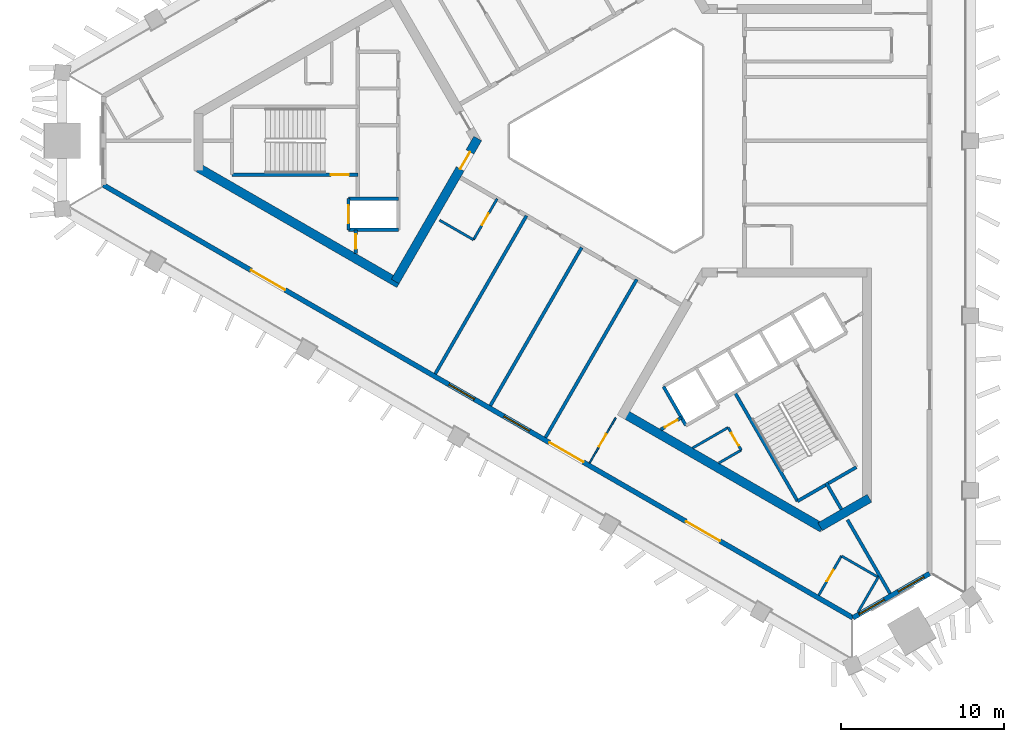
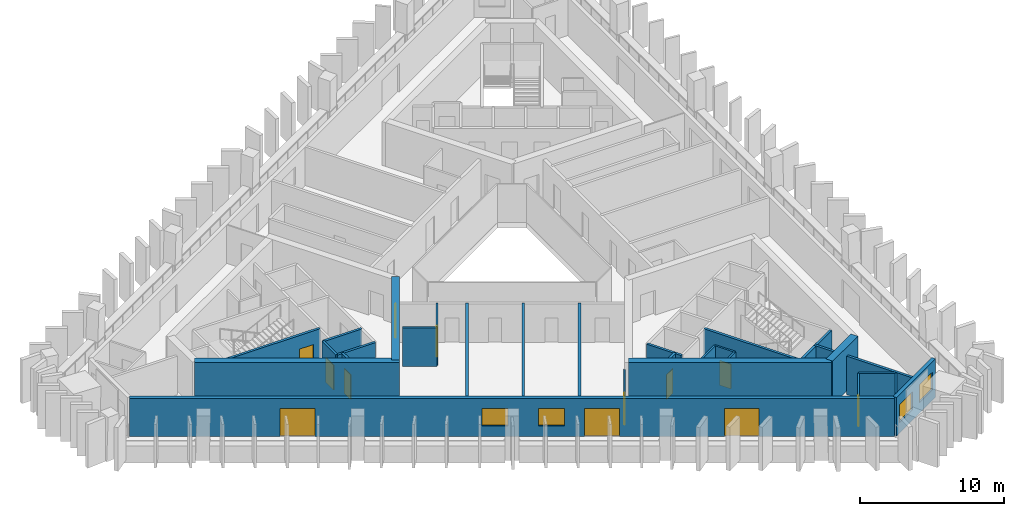
# One storey, part 2 of 9: 29 walls, 12 doors, 4 windows, 16 openings.
"""IFC4 building model written with IfcOpenShell, lengths in metres."""

from ifc_helpers import new_model, si_unit, direction, frame, frame_2d, origin, place, context, subcontext, project, spatial, rectangle, extrude, material, layer, layer_set, type_object, element, fill, save


model = new_model("IFC4")

# Units and contexts
model_context = context("Model", 3, precision=1e-05, world=origin(), true_north=direction((0.0, 1.0)))
body_context = subcontext(model_context, "Body", "Model", "MODEL_VIEW")
ifc_project = project(units=[si_unit("LENGTHUNIT", "METRE"), si_unit("AREAUNIT", "SQUARE_METRE"), si_unit("VOLUMEUNIT", "CUBIC_METRE"), si_unit("PLANEANGLEUNIT", "RADIAN"), si_unit("MASSUNIT", "GRAM", prefix="KILO")], contexts=[model_context])

# Site, building, storey
site_placement = place(None, origin())
site = spatial("IfcSite", under=ifc_project, at=site_placement, CompositionType="ELEMENT")
building_placement = place(site_placement, origin())
building = spatial("IfcBuilding", under=site, at=building_placement, Name="Jabali Bay Hotel Tower and Convention Centre", CompositionType="ELEMENT")
storey_placement = place(building_placement, frame((0.0, 0.0, 182.199951171875)))
storey = spatial("IfcBuildingStorey", under=building, at=storey_placement, Name="L44", CompositionType="ELEMENT", Elevation=182.199951171875)

# Wall, opening, door
ifc_material_1 = material(Name="Concrete C40", Category="concrete")
ifc_layer_1 = layer(ifc_material_1, 0.199951171875)
ifc_layer_set_1 = layer_set([ifc_layer_1], Name="Concrete C40")
wall_type_1 = type_object("IfcWallType", Name="Core partition wall 200", PredefinedType="PARTITIONING", material=ifc_layer_set_1)
wall_1_placement = place(storey_placement, frame((58.300048828125, 74.550048828125, 0.0), z_axis=(0.0, 0.0, 1.0), x_axis=(0.0, -1.0, 0.0)))
wall_1 = element("IfcWall", 1, at=wall_1_placement, inside=storey, type_object=wall_type_1, Name="Core wall 0.11 L44", PredefinedType="PARTITIONING", context=body_context, shape_type="SweptSolid", body=[
    extrude(rectangle(XDim=1.455078125, YDim=0.199951171875, at=frame_2d((0.7275390625, 0.0))), origin(), (0.0, 0.0, 1.0), 3.25),
])
opening_1_placement = place(wall_1_placement, frame((0.277587890625, 0.0, 0.0)))
opening_1 = element("IfcOpeningElement", 2, at=opening_1_placement, cuts=wall_1, Name="Opening D952", PredefinedType="OPENING", context=body_context, shape_type="SweptSolid", body=[
    extrude(rectangle(XDim=0.89990234375, YDim=2.10009765625, at=frame_2d((0.449951171875, 1.050048828125))), frame((0.0, 0.1103515625, 0.0), z_axis=(0.0, -1.0, 0.0), x_axis=(1.0, 0.0, 0.0)), (0.0, 0.0, 1.0), 0.220947265625),
])
ifc_material_2 = material(Name="Fire-rated steel door", Category="steel")
door_type_1 = type_object("IfcDoorType", Name="Vestibule fire door 900 x 2100", OperationType="NOTDEFINED", PredefinedType="NOTDEFINED", material=ifc_material_2)
door_1_placement = place(opening_1_placement, origin())
door_1 = element("IfcDoor", 3, at=door_1_placement, inside=storey, type_object=door_type_1, Name="Vestibule fire door D952", OperationType="SINGLE_SWING_LEFT", OverallHeight=2.10009765625, OverallWidth=0.89990234375, PredefinedType="NOTDEFINED", context=body_context, shape_type="SweptSolid", body=[
    extrude(rectangle(XDim=0.89990234375, YDim=2.10009765625, at=frame_2d((0.449951171875, 1.050048828125))), frame((0.0, 0.02490234375, 0.0), z_axis=(0.0, -1.0, 0.0), x_axis=(1.0, 0.0, 0.0)), (0.0, 0.0, 1.0), 0.050048828125),
])
fill(opening_1, door_1)

# Wall
wall_2_placement = place(storey_placement, frame((87.090087890625, 59.0595703125, 0.0), z_axis=(0.0, 0.0, 1.0), x_axis=(0.499951854219, -0.86605319898, 0.0)))
element("IfcWall", 4, at=wall_2_placement, inside=storey, type_object=wall_type_1, Name="Core wall 2.5 L44", PredefinedType="PARTITIONING", context=body_context, shape_type="SweptSolid", body=[
    extrude(rectangle(XDim=1.873291015625, YDim=0.199951171875, at=frame_2d((0.9365234375, 0.0))), origin(), (0.0, 0.0, 1.0), 3.25),
])

# Wall, opening, door
wall_3_placement = place(storey_placement, frame((76.969970703125, 62.315673828125, 0.0), z_axis=(0.0, 0.0, 1.0), x_axis=(0.865982457891, 0.500074377092, 0.0)))
wall_3 = element("IfcWall", 5, at=wall_3_placement, inside=storey, type_object=wall_type_1, Name="Core wall 2.11 L44", PredefinedType="PARTITIONING", context=body_context, shape_type="SweptSolid", body=[
    extrude(rectangle(XDim=1.461181640625, YDim=0.199951171875, at=frame_2d((0.73046875, 0.0))), origin(), (0.0, 0.0, 1.0), 3.25),
])
opening_2_placement = place(wall_3_placement, frame((0.280517578125, 0.0, 0.0)))
opening_2 = element("IfcOpeningElement", 6, at=opening_2_placement, cuts=wall_3, Name="Opening D965", PredefinedType="OPENING", context=body_context, shape_type="SweptSolid", body=[
    extrude(rectangle(XDim=0.89990234375, YDim=2.10009765625, at=frame_2d((0.449951171875, 1.050048828125))), frame((0.0, 0.1103515625, 0.0), z_axis=(0.0, -1.0, 0.0), x_axis=(1.0, 0.0, 0.0)), (0.0, 0.0, 1.0), 0.220947265625),
])
door_2_placement = place(opening_2_placement, origin())
door_2 = element("IfcDoor", 7, at=door_2_placement, inside=storey, type_object=door_type_1, Name="Vestibule fire door D965", OperationType="SINGLE_SWING_LEFT", OverallHeight=2.10009765625, OverallWidth=0.89990234375, PredefinedType="NOTDEFINED", context=body_context, shape_type="SweptSolid", body=[
    extrude(rectangle(XDim=0.89990234375, YDim=2.10009765625, at=frame_2d((0.449951171875, 1.050048828125))), frame((0.0, 0.02490234375, 0.0), z_axis=(0.0, -1.0, 0.0), x_axis=(1.0, 0.0, 0.0)), (0.0, 0.0, 1.0), 0.050048828125),
])
fill(opening_2, door_2)

ifc_material_3 = material(Name="Fire-rated board partition")
ifc_layer_2 = layer(ifc_material_3, 0.14990234375)
ifc_layer_set_2 = layer_set([ifc_layer_2], Name="Fire-rated board partition")
wall_type_2 = type_object("IfcWallType", Name="Core room partition 150", PredefinedType="PARTITIONING", material=ifc_layer_set_2)
wall_4_placement = place(storey_placement, frame((81.093994140625, 62.445068359375, 0.0), z_axis=(0.0, 0.0, 1.0), x_axis=(0.499880961361, -0.866094119867, 0.0)))
wall_4 = element("IfcWall", 8, at=wall_4_placement, inside=storey, type_object=wall_type_2, Name="Core wall 2.1 L44", PredefinedType="PARTITIONING", context=body_context, shape_type="SweptSolid", body=[
    extrude(rectangle(XDim=1.60009765625, YDim=0.14990234375, at=frame_2d((0.800048828125, 0.0))), origin(), (0.0, 0.0, 1.0), 3.25),
])
opening_3_placement = place(wall_4_placement, frame((0.387451171875, 0.0, 0.0)))
opening_3 = element("IfcOpeningElement", 9, at=opening_3_placement, cuts=wall_4, Name="Opening D967", PredefinedType="OPENING", context=body_context, shape_type="SweptSolid", body=[
    extrude(rectangle(XDim=0.89990234375, YDim=2.10009765625, at=frame_2d((0.449951171875, 1.050048828125))), frame((0.0, 0.08544921875, 0.0), z_axis=(0.0, -1.0, 0.0), x_axis=(1.0, 0.0, 0.0)), (0.0, 0.0, 1.0), 0.1708984375),
])
door_type_2 = type_object("IfcDoorType", Name="Core room door 900 x 2100", OperationType="NOTDEFINED", PredefinedType="NOTDEFINED", material=ifc_material_2)
door_3_placement = place(opening_3_placement, origin())
door_3 = element("IfcDoor", 10, at=door_3_placement, inside=storey, type_object=door_type_2, Name="Core room door D967", OperationType="SINGLE_SWING_LEFT", OverallHeight=2.10009765625, OverallWidth=0.89990234375, PredefinedType="NOTDEFINED", context=body_context, shape_type="SweptSolid", body=[
    extrude(rectangle(XDim=0.89990234375, YDim=2.10009765625, at=frame_2d((0.449951171875, 1.050048828125))), frame((0.0, 0.02490234375, 0.0), z_axis=(0.0, -1.0, 0.0), x_axis=(1.0, 0.0, 0.0)), (0.0, 0.0, 1.0), 0.050048828125),
])
fill(opening_3, door_3)

# Walls
wall_5_placement = place(storey_placement, frame((78.919921875, 61.18994140625, 0.0), z_axis=(0.0, 0.0, 1.0), x_axis=(0.866038211682, 0.499977815414, 0.0)))
element("IfcWall", 11, at=wall_5_placement, inside=storey, type_object=wall_type_2, Name="Core wall 2.16 L44", PredefinedType="PARTITIONING", context=body_context, shape_type="SweptSolid", body=[
    extrude(rectangle(XDim=2.51025390625, YDim=0.14990234375, at=frame_2d((1.255126953125, 0.0))), origin(), (0.0, 0.0, 1.0), 3.25),
])
wall_6_placement = place(storey_placement, frame((80.52001953125, 60.26611328125, 0.0), z_axis=(0.0, 0.0, 1.0), x_axis=(0.866008740531, 0.500028860491, 0.0)))
element("IfcWall", 12, at=wall_6_placement, inside=storey, type_object=wall_type_2, Name="Core wall 2.17 L44", PredefinedType="PARTITIONING", context=body_context, shape_type="SweptSolid", body=[
    extrude(rectangle(XDim=1.58642578125, YDim=0.14990234375, at=frame_2d((0.793212890625, 0.0))), origin(), (0.0, 0.0, 1.0), 3.25),
])

# Wall, opening, door
ifc_layer_3 = layer(ifc_material_1, 0.199951171875)
ifc_layer_set_3 = layer_set([ifc_layer_3], Name="Concrete C40")
wall_type_3 = type_object("IfcWallType", Name="Core stair wall 200", PredefinedType="SOLIDWALL", material=ifc_layer_set_3)
wall_7_placement = place(storey_placement, frame((58.419921875, 77.925048828125, 0.0), z_axis=(0.0, 0.0, 1.0), x_axis=(-1.0, 0.0, 0.0)))
wall_7 = element("IfcWall", 13, at=wall_7_placement, inside=storey, type_object=wall_type_3, Name="Core wall 0.6 L44", PredefinedType="SOLIDWALL", context=body_context, shape_type="SweptSolid", body=[
    extrude(rectangle(XDim=7.699951171875, YDim=0.199951171875, at=frame_2d((3.85009765625, 0.0))), origin(), (0.0, 0.0, 1.0), 3.25),
])
opening_4_placement = place(wall_7_placement, frame((0.550048828125, 0.0, 0.0)))
opening_4 = element("IfcOpeningElement", 14, at=opening_4_placement, cuts=wall_7, Name="Opening D954", PredefinedType="OPENING", context=body_context, shape_type="SweptSolid", body=[
    extrude(rectangle(XDim=1.10009765625, YDim=2.10009765625, at=frame_2d((0.550048828125, 1.050048828125))), frame((0.0, 0.1103515625, 0.0), z_axis=(0.0, -1.0, 0.0), x_axis=(1.0, 0.0, 0.0)), (0.0, 0.0, 1.0), 0.220947265625),
])
door_type_3 = type_object("IfcDoorType", Name="Stair fire door 1100 x 2100", OperationType="NOTDEFINED", PredefinedType="NOTDEFINED", material=ifc_material_2)
door_4_placement = place(opening_4_placement, origin())
door_4 = element("IfcDoor", 15, at=door_4_placement, inside=storey, type_object=door_type_3, Name="Stair fire door D954", OperationType="SINGLE_SWING_RIGHT", OverallHeight=2.10009765625, OverallWidth=1.10009765625, PredefinedType="NOTDEFINED", context=body_context, shape_type="SweptSolid", body=[
    extrude(rectangle(XDim=1.10009765625, YDim=2.10009765625, at=frame_2d((0.550048828125, 1.050048828125))), frame((0.0, 0.02490234375, 0.0), z_axis=(0.0, -1.0, 0.0), x_axis=(1.0, 0.0, 0.0)), (0.0, 0.0, 1.0), 0.050048828125),
])
fill(opening_4, door_4)

# Walls
for number, where, z_axis, x_axis, name in (
    (16, (60.89990234375, 76.449951171875, 0.0), (0.0, 0.0, 1.0), (-1.0, 0.0, 0.0), "Core wall 0.7 L44"),
    (17, (60.89990234375, 74.550048828125, 0.0), (0.0, 0.0, 1.0), (-1.0, 0.0, 0.0), "Core wall 0.8 L44"),
):
    element("IfcWall", number, at=place(storey_placement, frame(where, z_axis=z_axis, x_axis=x_axis)), inside=storey, type_object=wall_type_3, Name=name, PredefinedType="SOLIDWALL", context=body_context, shape_type="SweptSolid", body=[
        extrude(rectangle(XDim=3.0498046875, YDim=0.199951171875, at=frame_2d((1.52490234375, 0.0))), origin(), (0.0, 0.0, 1.0), 3.25),
    ])

# Wall, opening, door
wall_8_placement = place(storey_placement, frame((57.85009765625, 76.449951171875, 0.0), z_axis=(0.0, 0.0, 1.0), x_axis=(0.0, -1.0, 0.0)))
wall_8 = element("IfcWall", 18, at=wall_8_placement, inside=storey, type_object=wall_type_3, Name="Core wall 0.12 L44", PredefinedType="SOLIDWALL", context=body_context, shape_type="SweptSolid", body=[
    extrude(rectangle(XDim=1.89990234375, YDim=0.199951171875, at=frame_2d((0.949951171875, 0.0))), origin(), (0.0, 0.0, 1.0), 3.25),
])
opening_5_placement = place(wall_8_placement, frame((0.39990234375, 0.0, 0.0)))
opening_5 = element("IfcOpeningElement", 19, at=opening_5_placement, cuts=wall_8, Name="Opening LD5-L44", PredefinedType="OPENING", context=body_context, shape_type="SweptSolid", body=[
    extrude(rectangle(XDim=1.10009765625, YDim=2.10009765625, at=frame_2d((0.550048828125, 1.050048828125))), frame((0.0, 0.1103515625, 0.0), z_axis=(0.0, -1.0, 0.0), x_axis=(1.0, 0.0, 0.0)), (0.0, 0.0, 1.0), 0.220947265625),
])
ifc_material_4 = material(Name="Stainless steel landing door", Category="steel")
door_type_4 = type_object("IfcDoorType", Name="Landing door 1100 x 2100", OperationType="NOTDEFINED", PredefinedType="NOTDEFINED", material=ifc_material_4)
door_5_placement = place(opening_5_placement, origin())
door_5 = element("IfcDoor", 20, at=door_5_placement, inside=storey, type_object=door_type_4, Name="Landing doors LD5-L44", OperationType="SLIDING_TO_RIGHT", OverallHeight=2.10009765625, OverallWidth=1.10009765625, PredefinedType="NOTDEFINED", context=body_context, shape_type="SweptSolid", body=[
    extrude(rectangle(XDim=1.10009765625, YDim=2.10009765625, at=frame_2d((0.550048828125, 1.050048828125))), frame((0.0, 0.02490234375, 0.0), z_axis=(0.0, -1.0, 0.0), x_axis=(1.0, 0.0, 0.0)), (0.0, 0.0, 1.0), 0.050048828125),
])
fill(opening_5, door_5)

# Walls
wall_9_placement = place(storey_placement, frame((77.13525390625, 64.95166015625, 0.0), z_axis=(0.0, 0.0, 1.0), x_axis=(0.499996545922, -0.866027397988, 0.0)))
element("IfcWall", 21, at=wall_9_placement, inside=storey, type_object=wall_type_3, Name="Core wall 2.0 L44", PredefinedType="SOLIDWALL", context=body_context, shape_type="SweptSolid", body=[
    extrude(rectangle(XDim=2.75, YDim=0.199951171875, at=frame_2d((1.375, 0.0))), origin(), (0.0, 0.0, 1.0), 3.25),
])
wall_10_placement = place(storey_placement, frame((81.492919921875, 64.603759765625, 0.0), z_axis=(0.0, 0.0, 1.0), x_axis=(0.500006057782, -0.866021906294, 0.0)))
element("IfcWall", 22, at=wall_10_placement, inside=storey, type_object=wall_type_3, Name="Core wall 2.3 L44", PredefinedType="SOLIDWALL", context=body_context, shape_type="SweptSolid", body=[
    extrude(rectangle(XDim=7.7001953125, YDim=0.199951171875, at=frame_2d((3.85009765625, 0.0))), origin(), (0.0, 0.0, 1.0), 3.25),
])
wall_11_placement = place(storey_placement, frame((85.343017578125, 57.935302734375, 0.0), z_axis=(0.0, 0.0, 1.0), x_axis=(0.866004344652, 0.500036473714, 0.0)))
element("IfcWall", 23, at=wall_11_placement, inside=storey, type_object=wall_type_3, Name="Core wall 2.18 L44", PredefinedType="SOLIDWALL", context=body_context, shape_type="SweptSolid", body=[
    extrude(rectangle(XDim=4.150146484375, YDim=0.199951171875, at=frame_2d((2.0751953125, 0.0))), origin(), (0.0, 0.0, 1.0), 3.25),
])
ifc_material_5 = material(Name="Concrete C60", Category="concrete")
ifc_layer_4 = layer(ifc_material_5, 0.550048828125)
ifc_layer_set_4 = layer_set([ifc_layer_4], Name="Concrete C60")
wall_type_4 = type_object("IfcWallType", Name="Core wall 550", PredefinedType="SHEAR", material=ifc_layer_set_4)
wall_12_placement = place(storey_placement, frame((48.671875, 78.336181640625, 0.0), z_axis=(0.0, 0.0, 1.0), x_axis=(0.866023530946, -0.500003243837, 0.0)))
element("IfcWall", 24, at=wall_12_placement, inside=storey, type_object=wall_type_4, Name="Core wall 1.4 L44", PredefinedType="SHEAR", context=body_context, shape_type="SweptSolid", body=[
    extrude(rectangle(XDim=14.1748046875, YDim=0.550048828125, at=frame_2d((7.08740234375, 0.0))), origin(), (0.0, 0.0, 1.0), 3.699951171875),
])

# Wall, opening, door
wall_13_placement = place(storey_placement, frame((60.709228515625, 71.38623046875, 0.0), z_axis=(0.0, 0.0, 1.0), x_axis=(0.500015938302, 0.866016201606, 0.0)))
wall_13 = element("IfcWall", 25, at=wall_13_placement, inside=storey, type_object=wall_type_4, Name="Core wall 1.5 L44", PredefinedType="SHEAR", context=body_context, shape_type="SweptSolid", body=[
    extrude(rectangle(XDim=10.105224609375, YDim=0.550048828125, at=frame_2d((5.052734375, 0.0))), origin(), (0.0, 0.0, 1.0), 3.699951171875),
])
opening_6_placement = place(wall_13_placement, frame((7.955078125, 0.0, 0.0)))
opening_6 = element("IfcOpeningElement", 26, at=opening_6_placement, cuts=wall_13, Name="Opening D948", PredefinedType="OPENING", context=body_context, shape_type="SweptSolid", body=[
    extrude(rectangle(XDim=1.199951171875, YDim=2.10009765625, at=frame_2d((0.60009765625, 1.050048828125))), frame((0.0, 0.28564453125, 0.0), z_axis=(0.0, -1.0, 0.0), x_axis=(1.0, 0.0, 0.0)), (0.0, 0.0, 1.0), 0.571044921875),
])
door_type_5 = type_object("IfcDoorType", Name="Corridor end fire door 1200 x 2100", OperationType="NOTDEFINED", PredefinedType="NOTDEFINED", material=ifc_material_2)
door_6_placement = place(opening_6_placement, origin())
door_6 = element("IfcDoor", 27, at=door_6_placement, inside=storey, type_object=door_type_5, Name="Corridor end fire door D948", OperationType="SINGLE_SWING_LEFT", OverallHeight=2.10009765625, OverallWidth=1.199951171875, PredefinedType="NOTDEFINED", context=body_context, shape_type="SweptSolid", body=[
    extrude(rectangle(XDim=1.199951171875, YDim=2.10009765625, at=frame_2d((0.60009765625, 1.050048828125))), frame((0.0, 0.02490234375, 0.0), z_axis=(0.0, -1.0, 0.0), x_axis=(1.0, 0.0, 0.0)), (0.0, 0.0, 1.0), 0.050048828125),
])
fill(opening_6, door_6)

# Walls
wall_14_placement = place(storey_placement, frame((74.685546875, 63.317138671875, 0.0), z_axis=(0.0, 0.0, 1.0), x_axis=(0.866024505738, -0.500001555459, 0.0)))
element("IfcWall", 28, at=wall_14_placement, inside=storey, type_object=wall_type_4, Name="Core wall 3.2 L44", PredefinedType="SHEAR", context=body_context, shape_type="SweptSolid", body=[
    extrude(rectangle(XDim=14.05859375, YDim=0.550048828125, at=frame_2d((7.029296875, 0.0))), origin(), (0.0, 0.0, 1.0), 3.699951171875),
])
wall_15_placement = place(storey_placement, frame((86.72314453125, 56.3671875, 0.0), z_axis=(0.0, 0.0, 1.0), x_axis=(0.865997833373, 0.500047750313, 0.0)))
element("IfcWall", 29, at=wall_15_placement, inside=storey, type_object=wall_type_4, Name="Core wall 3.3 L44", PredefinedType="SHEAR", context=body_context, shape_type="SweptSolid", body=[
    extrude(rectangle(XDim=3.486572265625, YDim=0.550048828125, at=frame_2d((1.7431640625, 0.0))), origin(), (0.0, 0.0, 1.0), 3.699951171875),
])

# Wall, openings, windows
ifc_layer_5 = layer(ifc_material_1, 0.300048828125)
ifc_layer_set_5 = layer_set([ifc_layer_5], Name="Concrete C40")
wall_type_5 = type_object("IfcWallType", Name="External wall 300", PredefinedType="SOLIDWALL", material=ifc_layer_set_5)
wall_16_placement = place(storey_placement, frame((93.42724609375, 53.504638671875, 0.0), z_axis=(0.0, 0.0, 1.0), x_axis=(-0.866006352826, -0.500032995777, 0.0)))
wall_16 = element("IfcWall", 30, at=wall_16_placement, inside=storey, type_object=wall_type_5, Name="External wall south-east chamfer L44", PredefinedType="SOLIDWALL", context=body_context, shape_type="SweptSolid", body=[
    extrude(rectangle(XDim=5.421630859375, YDim=0.300048828125, at=frame_2d((2.7109375, 0.0))), origin(), (0.0, 0.0, 1.0), 3.25),
])
opening_7_placement = place(wall_16_placement, frame((3.197998046875, 0.0, 0.89990234375)))
opening_7 = element("IfcOpeningElement", 31, at=opening_7_placement, cuts=wall_16, Name="Opening W1", PredefinedType="OPENING", context=body_context, shape_type="SweptSolid", body=[
    extrude(rectangle(XDim=1.800048828125, YDim=1.5, at=frame_2d((0.89990234375, 0.75))), frame((0.0, 0.16064453125, 0.0), z_axis=(0.0, -1.0, 0.0), x_axis=(1.0, 0.0, 0.0)), (0.0, 0.0, 1.0), 0.321044921875),
])
opening_8_placement = place(wall_16_placement, frame((0.41259765625, 0.0, 0.89990234375)))
opening_8 = element("IfcOpeningElement", 32, at=opening_8_placement, cuts=wall_16, Name="Opening W1", PredefinedType="OPENING", context=body_context, shape_type="SweptSolid", body=[
    extrude(rectangle(XDim=1.800048828125, YDim=1.5, at=frame_2d((0.89990234375, 0.75))), frame((0.0, 0.16064453125, 0.0), z_axis=(0.0, -1.0, 0.0), x_axis=(1.0, 0.0, 0.0)), (0.0, 0.0, 1.0), 0.321044921875),
])
ifc_material_6 = material(Name="Glass", Category="glass")
window_type = type_object("IfcWindowType", Name="Window 1800 x 1500", PartitioningType="SINGLE_PANEL", PredefinedType="WINDOW", material=ifc_material_6)
window_1_placement = place(opening_7_placement, origin())
window_1 = element("IfcWindow", 33, at=window_1_placement, inside=storey, type_object=window_type, Name="Window 4412", OverallHeight=1.5, OverallWidth=1.800048828125, PartitioningType="SINGLE_PANEL", PredefinedType="WINDOW", context=body_context, shape_type="SweptSolid", body=[
    extrude(rectangle(XDim=1.800048828125, YDim=1.5, at=frame_2d((0.89990234375, 0.75))), frame((0.0, 0.030029296875, 0.0), z_axis=(0.0, -1.0, 0.0), x_axis=(1.0, 0.0, 0.0)), (0.0, 0.0, 1.0), 0.06005859375),
])
fill(opening_7, window_1)
window_2_placement = place(opening_8_placement, origin())
window_2 = element("IfcWindow", 34, at=window_2_placement, inside=storey, type_object=window_type, Name="Window 4401", OverallHeight=1.5, OverallWidth=1.800048828125, PartitioningType="SINGLE_PANEL", PredefinedType="WINDOW", context=body_context, shape_type="SweptSolid", body=[
    extrude(rectangle(XDim=1.800048828125, YDim=1.5, at=frame_2d((0.89990234375, 0.75))), frame((0.0, 0.030029296875, 0.0), z_axis=(0.0, -1.0, 0.0), x_axis=(1.0, 0.0, 0.0)), (0.0, 0.0, 1.0), 0.06005859375),
])
fill(opening_8, window_2)

# Wall, openings, doors, windows
wall_17_placement = place(storey_placement, frame((88.732177734375, 50.793701171875, 0.0), z_axis=(0.0, 0.0, 1.0), x_axis=(-0.866024774967, 0.500001089142, 0.0)))
wall_17 = element("IfcWall", 35, at=wall_17_placement, inside=storey, type_object=wall_type_5, Name="External wall south-west face L44", PredefinedType="SOLIDWALL", context=body_context, shape_type="SweptSolid", body=[
    extrude(rectangle(XDim=52.9912109375, YDim=0.300048828125, at=frame_2d((26.49560546875, 0.0))), origin(), (0.0, 0.0, 1.0), 3.25),
])
opening_9_placement = place(wall_17_placement, frame((19.06005859375, 0.0, 0.0)))
opening_9 = element("IfcOpeningElement", 36, at=opening_9_placement, cuts=wall_17, Name="Opening SD1", PredefinedType="OPENING", context=body_context, shape_type="SweptSolid", body=[
    extrude(rectangle(XDim=2.39990234375, YDim=2.39990234375, at=frame_2d((1.199951171875, 1.199951171875))), frame((0.0, 0.16064453125, 0.0), z_axis=(0.0, -1.0, 0.0), x_axis=(1.0, 0.0, 0.0)), (0.0, 0.0, 1.0), 0.321044921875),
])
opening_10_placement = place(wall_17_placement, frame((9.39208984375, 0.0, 0.0)))
opening_10 = element("IfcOpeningElement", 37, at=opening_10_placement, cuts=wall_17, Name="Opening SD1", PredefinedType="OPENING", context=body_context, shape_type="SweptSolid", body=[
    extrude(rectangle(XDim=2.39990234375, YDim=2.39990234375, at=frame_2d((1.199951171875, 1.199951171875))), frame((0.0, 0.16064453125, 0.0), z_axis=(0.0, -1.0, 0.0), x_axis=(1.0, 0.0, 0.0)), (0.0, 0.0, 1.0), 0.321044921875),
])
opening_11_placement = place(wall_17_placement, frame((40.145263671875, 0.0, 0.0)))
opening_11 = element("IfcOpeningElement", 38, at=opening_11_placement, cuts=wall_17, Name="Opening SD1", PredefinedType="OPENING", context=body_context, shape_type="SweptSolid", body=[
    extrude(rectangle(XDim=2.39990234375, YDim=2.39990234375, at=frame_2d((1.199951171875, 1.199951171875))), frame((0.0, 0.16064453125, 0.0), z_axis=(0.0, -1.0, 0.0), x_axis=(1.0, 0.0, 0.0)), (0.0, 0.0, 1.0), 0.321044921875),
])
opening_12_placement = place(wall_17_placement, frame((26.7646484375, 0.0, 0.89990234375)))
opening_12 = element("IfcOpeningElement", 39, at=opening_12_placement, cuts=wall_17, Name="Opening W1", PredefinedType="OPENING", context=body_context, shape_type="SweptSolid", body=[
    extrude(rectangle(XDim=1.800048828125, YDim=1.5, at=frame_2d((0.89990234375, 0.75))), frame((0.0, 0.16064453125, 0.0), z_axis=(0.0, -1.0, 0.0), x_axis=(1.0, 0.0, 0.0)), (0.0, 0.0, 1.0), 0.321044921875),
])
opening_13_placement = place(wall_17_placement, frame((22.867431640625, 0.0, 0.89990234375)))
opening_13 = element("IfcOpeningElement", 40, at=opening_13_placement, cuts=wall_17, Name="Opening W1", PredefinedType="OPENING", context=body_context, shape_type="SweptSolid", body=[
    extrude(rectangle(XDim=1.800048828125, YDim=1.5, at=frame_2d((0.89990234375, 0.75))), frame((0.0, 0.16064453125, 0.0), z_axis=(0.0, -1.0, 0.0), x_axis=(1.0, 0.0, 0.0)), (0.0, 0.0, 1.0), 0.321044921875),
])
door_type_6 = type_object("IfcDoorType", Name="Loggia sliding door 2400 x 2400", OperationType="NOTDEFINED", PredefinedType="NOTDEFINED", material=ifc_material_6)
door_7_placement = place(opening_9_placement, origin())
door_7 = element("IfcDoor", 41, at=door_7_placement, inside=storey, type_object=door_type_6, Name="Loggia sliding door 4412", OperationType="SLIDING_TO_LEFT", OverallHeight=2.39990234375, OverallWidth=2.39990234375, PredefinedType="NOTDEFINED", context=body_context, shape_type="SweptSolid", body=[
    extrude(rectangle(XDim=2.39990234375, YDim=2.39990234375, at=frame_2d((1.199951171875, 1.199951171875))), frame((0.0, 0.02490234375, 0.0), z_axis=(0.0, -1.0, 0.0), x_axis=(1.0, 0.0, 0.0)), (0.0, 0.0, 1.0), 0.050048828125),
])
fill(opening_9, door_7)
door_8_placement = place(opening_10_placement, origin())
door_8 = element("IfcDoor", 42, at=door_8_placement, inside=storey, type_object=door_type_6, Name="Loggia sliding door 4412", OperationType="SLIDING_TO_RIGHT", OverallHeight=2.39990234375, OverallWidth=2.39990234375, PredefinedType="NOTDEFINED", context=body_context, shape_type="SweptSolid", body=[
    extrude(rectangle(XDim=2.39990234375, YDim=2.39990234375, at=frame_2d((1.199951171875, 1.199951171875))), frame((0.0, 0.02490234375, 0.0), z_axis=(0.0, -1.0, 0.0), x_axis=(1.0, 0.0, 0.0)), (0.0, 0.0, 1.0), 0.050048828125),
])
fill(opening_10, door_8)
door_9_placement = place(opening_11_placement, origin())
door_9 = element("IfcDoor", 43, at=door_9_placement, inside=storey, type_object=door_type_6, Name="Loggia sliding door 4409", OperationType="SLIDING_TO_LEFT", OverallHeight=2.39990234375, OverallWidth=2.39990234375, PredefinedType="NOTDEFINED", context=body_context, shape_type="SweptSolid", body=[
    extrude(rectangle(XDim=2.39990234375, YDim=2.39990234375, at=frame_2d((1.199951171875, 1.199951171875))), frame((0.0, 0.02490234375, 0.0), z_axis=(0.0, -1.0, 0.0), x_axis=(1.0, 0.0, 0.0)), (0.0, 0.0, 1.0), 0.050048828125),
])
fill(opening_11, door_9)
window_3_placement = place(opening_12_placement, origin())
window_3 = element("IfcWindow", 44, at=window_3_placement, inside=storey, type_object=window_type, Name="Window 4410", OverallHeight=1.5, OverallWidth=1.800048828125, PartitioningType="SINGLE_PANEL", PredefinedType="WINDOW", context=body_context, shape_type="SweptSolid", body=[
    extrude(rectangle(XDim=1.800048828125, YDim=1.5, at=frame_2d((0.89990234375, 0.75))), frame((0.0, 0.030029296875, 0.0), z_axis=(0.0, -1.0, 0.0), x_axis=(1.0, 0.0, 0.0)), (0.0, 0.0, 1.0), 0.06005859375),
])
fill(opening_12, window_3)
window_4_placement = place(opening_13_placement, origin())
window_4 = element("IfcWindow", 45, at=window_4_placement, inside=storey, type_object=window_type, Name="Window 4411", OverallHeight=1.5, OverallWidth=1.800048828125, PartitioningType="SINGLE_PANEL", PredefinedType="WINDOW", context=body_context, shape_type="SweptSolid", body=[
    extrude(rectangle(XDim=1.800048828125, YDim=1.5, at=frame_2d((0.89990234375, 0.75))), frame((0.0, 0.030029296875, 0.0), z_axis=(0.0, -1.0, 0.0), x_axis=(1.0, 0.0, 0.0)), (0.0, 0.0, 1.0), 0.06005859375),
])
fill(opening_13, window_4)

# Wall, opening, door
ifc_material_7 = material(Name="Plasterboard on steel stud", Category="steel")
ifc_layer_6 = layer(ifc_material_7, 0.10009765625)
ifc_layer_set_6 = layer_set([ifc_layer_6], Name="Plasterboard on steel stud")
wall_type_6 = type_object("IfcWallType", Name="Partition 100 unit", PredefinedType="PARTITIONING", material=ifc_layer_set_6)
wall_18_placement = place(storey_placement, frame((72.61083984375, 60.2734375, 0.0), z_axis=(0.0, 0.0, 1.0), x_axis=(0.499980071345, 0.866036909293, 0.0)))
wall_18 = element("IfcWall", 46, at=wall_18_placement, inside=storey, type_object=wall_type_6, Name="Partition P02 L44 032", PredefinedType="PARTITIONING", context=body_context, shape_type="SweptSolid", body=[
    extrude(rectangle(XDim=3.199462890625, YDim=0.10009765625, at=frame_2d((1.599609375, 0.0))), origin(), (0.0, 0.0, 1.0), 3.25),
])
opening_14_placement = place(wall_18_placement, frame((1.14990234375, 0.0, 0.0)))
opening_14 = element("IfcOpeningElement", 47, at=opening_14_placement, cuts=wall_18, Name="Opening 4421", PredefinedType="OPENING", context=body_context, shape_type="SweptSolid", body=[
    extrude(rectangle(XDim=0.89990234375, YDim=2.10009765625, at=frame_2d((0.449951171875, 1.050048828125))), frame((0.0, 0.060546875, 0.0), z_axis=(0.0, -1.0, 0.0), x_axis=(1.0, 0.0, 0.0)), (0.0, 0.0, 1.0), 0.12109375),
])
ifc_material_8 = material(Name="Timber", Category="wood")
door_type_7 = type_object("IfcDoorType", Name="Internal door 900 x 2100", OperationType="NOTDEFINED", PredefinedType="NOTDEFINED", material=ifc_material_8)
door_10_placement = place(opening_14_placement, origin())
door_10 = element("IfcDoor", 48, at=door_10_placement, inside=storey, type_object=door_type_7, Name="Door 4421", OperationType="SINGLE_SWING_RIGHT", OverallHeight=2.10009765625, OverallWidth=0.89990234375, PredefinedType="NOTDEFINED", context=body_context, shape_type="SweptSolid", body=[
    extrude(rectangle(XDim=0.89990234375, YDim=2.10009765625, at=frame_2d((0.449951171875, 1.050048828125))), frame((0.0, 0.02490234375, 0.0), z_axis=(0.0, -1.0, 0.0), x_axis=(1.0, 0.0, 0.0)), (0.0, 0.0, 1.0), 0.050048828125),
])
fill(opening_14, door_10)

ifc_layer_7 = layer(ifc_material_7, 0.14990234375)
ifc_layer_set_7 = layer_set([ifc_layer_7], Name="Plasterboard on steel stud")
wall_type_7 = type_object("IfcWallType", Name="Partition 150 wet", PredefinedType="PARTITIONING", material=ifc_layer_set_7)
wall_19_placement = place(storey_placement, frame((66.95166015625, 76.4482421875, 0.0), z_axis=(0.0, 0.0, 1.0), x_axis=(-0.499987231761, -0.866032775405, 0.0)))
wall_19 = element("IfcWall", 49, at=wall_19_placement, inside=storey, type_object=wall_type_7, Name="Partition P03 L44 027", PredefinedType="PARTITIONING", context=body_context, shape_type="SweptSolid", body=[
    extrude(rectangle(XDim=2.89990234375, YDim=0.14990234375, at=frame_2d((1.449951171875, 0.0))), origin(), (0.0, 0.0, 1.0), 3.25),
])
opening_15_placement = place(wall_19_placement, frame((1.050048828125, 0.0, 0.0)))
opening_15 = element("IfcOpeningElement", 50, at=opening_15_placement, cuts=wall_19, Name="Opening 4416", PredefinedType="OPENING", context=body_context, shape_type="SweptSolid", body=[
    extrude(rectangle(XDim=0.800048828125, YDim=2.10009765625, at=frame_2d((0.39990234375, 1.050048828125))), frame((0.0, 0.08544921875, 0.0), z_axis=(0.0, -1.0, 0.0), x_axis=(1.0, 0.0, 0.0)), (0.0, 0.0, 1.0), 0.1708984375),
])
door_type_8 = type_object("IfcDoorType", Name="En-suite door 800 x 2100", OperationType="NOTDEFINED", PredefinedType="NOTDEFINED", material=ifc_material_8)
door_11_placement = place(opening_15_placement, origin())
door_11 = element("IfcDoor", 51, at=door_11_placement, inside=storey, type_object=door_type_8, Name="Door 4416", OperationType="SINGLE_SWING_RIGHT", OverallHeight=2.10009765625, OverallWidth=0.800048828125, PredefinedType="NOTDEFINED", context=body_context, shape_type="SweptSolid", body=[
    extrude(rectangle(XDim=0.800048828125, YDim=2.10009765625, at=frame_2d((0.39990234375, 1.050048828125))), frame((0.0, 0.02490234375, 0.0), z_axis=(0.0, -1.0, 0.0), x_axis=(1.0, 0.0, 0.0)), (0.0, 0.0, 1.0), 0.050048828125),
])
fill(opening_15, door_11)

# Wall
wall_20_placement = place(storey_placement, frame((65.501708984375, 73.936767578125, 0.0), z_axis=(0.0, 0.0, 1.0), x_axis=(-0.865994240961, 0.500053971709, 0.0)))
element("IfcWall", 52, at=wall_20_placement, inside=storey, type_object=wall_type_7, Name="Partition P03 L44 028", PredefinedType="PARTITIONING", context=body_context, shape_type="SweptSolid", body=[
    extrude(rectangle(XDim=2.401123046875, YDim=0.14990234375, at=frame_2d((1.20068359375, 0.0))), origin(), (0.0, 0.0, 1.0), 3.25),
])

# Wall, opening, door
wall_21_placement = place(storey_placement, frame((86.640380859375, 52.173583984375, 0.0), z_axis=(0.0, 0.0, 1.0), x_axis=(0.500044657716, 0.865999619105, 0.0)))
wall_21 = element("IfcWall", 53, at=wall_21_placement, inside=storey, type_object=wall_type_7, Name="Partition P03 L44 033", PredefinedType="PARTITIONING", context=body_context, shape_type="SweptSolid", body=[
    extrude(rectangle(XDim=2.776611328125, YDim=0.14990234375, at=frame_2d((1.38818359375, 0.0))), origin(), (0.0, 0.0, 1.0), 3.25),
])
opening_16_placement = place(wall_21_placement, frame((0.988037109375, 0.0, 0.0)))
opening_16 = element("IfcOpeningElement", 54, at=opening_16_placement, cuts=wall_21, Name="Opening 4422", PredefinedType="OPENING", context=body_context, shape_type="SweptSolid", body=[
    extrude(rectangle(XDim=0.800048828125, YDim=2.10009765625, at=frame_2d((0.39990234375, 1.050048828125))), frame((0.0, 0.08544921875, 0.0), z_axis=(0.0, -1.0, 0.0), x_axis=(1.0, 0.0, 0.0)), (0.0, 0.0, 1.0), 0.1708984375),
])
door_12_placement = place(opening_16_placement, origin())
door_12 = element("IfcDoor", 55, at=door_12_placement, inside=storey, type_object=door_type_8, Name="Door 4422", OperationType="SINGLE_SWING_RIGHT", OverallHeight=2.10009765625, OverallWidth=0.800048828125, PredefinedType="NOTDEFINED", context=body_context, shape_type="SweptSolid", body=[
    extrude(rectangle(XDim=0.800048828125, YDim=2.10009765625, at=frame_2d((0.39990234375, 1.050048828125))), frame((0.0, 0.02490234375, 0.0), z_axis=(0.0, -1.0, 0.0), x_axis=(1.0, 0.0, 0.0)), (0.0, 0.0, 1.0), 0.050048828125),
])
fill(opening_16, door_12)

# Walls
wall_22_placement = place(storey_placement, frame((88.02880859375, 54.578125, 0.0), z_axis=(0.0, 0.0, 1.0), x_axis=(0.866021400173, -0.500006934395, 0.0)))
element("IfcWall", 56, at=wall_22_placement, inside=storey, type_object=wall_type_7, Name="Partition P03 L44 034", PredefinedType="PARTITIONING", context=body_context, shape_type="SweptSolid", body=[
    extrude(rectangle(XDim=2.60009765625, YDim=0.14990234375, at=frame_2d((1.300048828125, 0.0))), origin(), (0.0, 0.0, 1.0), 3.25),
])
wall_23_placement = place(storey_placement, frame((90.280517578125, 53.278076171875, 0.0), z_axis=(0.0, 0.0, 1.0), x_axis=(-0.499997745557, -0.866026705384, 0.0)))
element("IfcWall", 57, at=wall_23_placement, inside=storey, type_object=wall_type_7, Name="Partition P03 L44 035", PredefinedType="PARTITIONING", context=body_context, shape_type="SweptSolid", body=[
    extrude(rectangle(XDim=2.45654296875, YDim=0.14990234375, at=frame_2d((1.228271484375, 0.0))), origin(), (0.0, 0.0, 1.0), 3.25),
])
ifc_layer_8 = layer(ifc_material_7, 0.199951171875)
ifc_layer_set_8 = layer_set([ifc_layer_8], Name="Plasterboard on steel stud")
wall_type_8 = type_object("IfcWallType", Name="Partition 200 party", PredefinedType="PARTITIONING", material=ifc_layer_set_8)
wall_24_placement = place(storey_placement, frame((88.401123046875, 56.788818359375, 0.0), z_axis=(0.0, 0.0, 1.0), x_axis=(0.499980796252, -0.866036490789, 0.0)))
element("IfcWall", 58, at=wall_24_placement, inside=storey, type_object=wall_type_8, Name="Partition P01 L44 004", PredefinedType="PARTITIONING", context=body_context, shape_type="SweptSolid", body=[
    extrude(rectangle(XDim=5.208251953125, YDim=0.199951171875, at=frame_2d((2.60400390625, 0.0))), origin(), (0.0, 0.0, 1.0), 3.25),
])
for number, where, z_axis, x_axis, name in (
    (59, (63.160888671875, 65.7294921875, 0.0), (0.0, 0.0, 1.0), (0.499998478678, 0.866026282118, 0.0), "Partition P01 L44 029"),
    (60, (66.535888671875, 63.78076171875, 0.0), (0.0, 0.0, 1.0), (0.499998478678, 0.866026282118, 0.0), "Partition P01 L44 030"),
    (61, (69.910888671875, 61.832275390625, 0.0), (0.0, 0.0, 1.0), (0.499998478678, 0.866026282118, 0.0), "Partition P01 L44 031"),
):
    element("IfcWall", number, at=place(storey_placement, frame(where, z_axis=z_axis, x_axis=x_axis)), inside=storey, type_object=wall_type_8, Name=name, PredefinedType="PARTITIONING", context=body_context, shape_type="SweptSolid", body=[
        extrude(rectangle(XDim=11.17822265625, YDim=0.199951171875, at=frame_2d((5.589111328125, 0.0))), origin(), (0.0, 0.0, 1.0), 3.25),
    ])

save(model, "model.ifc")
